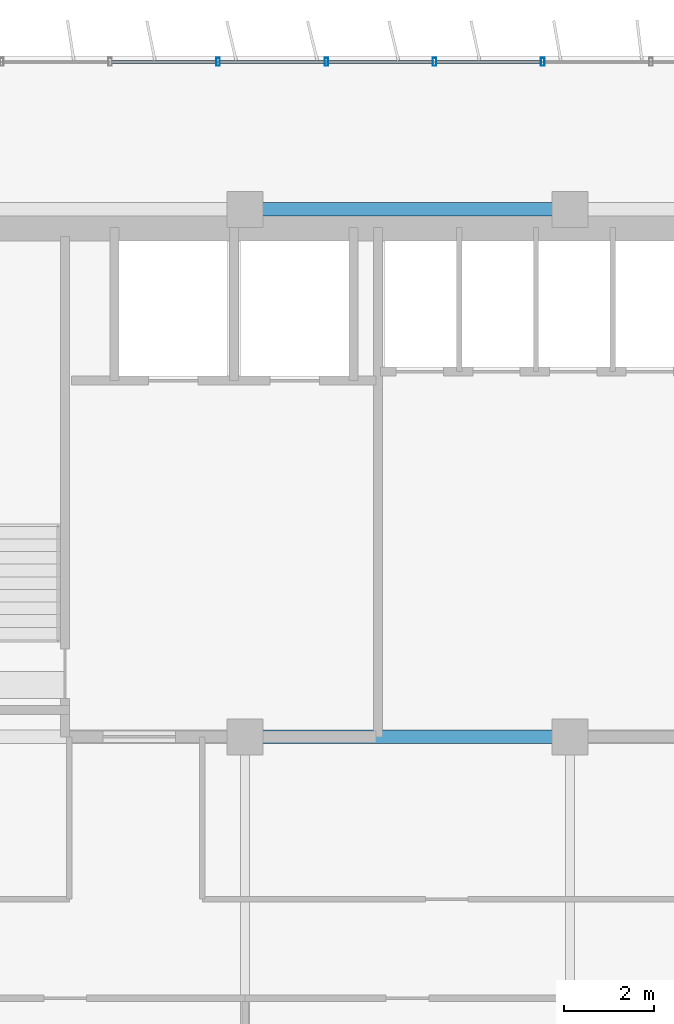
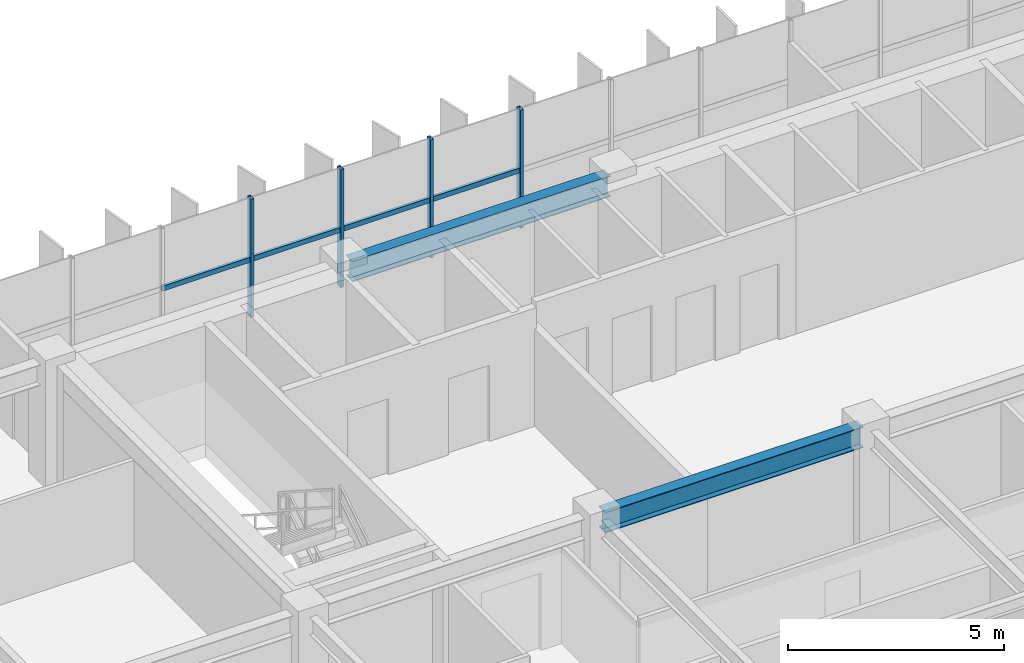
# One storey, part 6 of 22: 8 members, 2 beams, 1 element without a shape of its own.
"""IFC4 building model written with IfcOpenShell, lengths in metres."""

import ifcopenshell
import ifcopenshell.guid

model = None  # the IFC model being written
_history = None  # IfcOwnerHistory: only IFC2X3 demands one
_inside = {}  # id of a spatial element -> (the spatial element, [elements in it])
_under = {}  # id of a project, library or spatial element -> (it, [spatial elements below it])
_declared = {}  # id of a project -> (the project, [libraries it declares])
_typed = {}  # id of a type object -> (the type object, [elements of that type])
_made_of = {}  # id of a material, layer set ... -> (it, [elements and type objects made of it])


def new_model(schema):
    """Start an empty IFC model of exactly this schema.

    Asked for "IFC4X3", IfcOpenShell would pick the latest addendum, in which some entities
    have other attributes; the version numbers below select the first issue.
    IFC2X3 requires an IfcOwnerHistory on every rooted entity: one is made here for all.
    """
    global model, _history
    if schema == "IFC4X3":
        model = ifcopenshell.file(schema_version=(4, 3, 0, 0))
    else:
        model = ifcopenshell.file(schema=schema)
    _inside.clear()
    _under.clear()
    _declared.clear()
    _typed.clear()
    _made_of.clear()
    _history = None
    if model.schema == "IFC2X3":
        org = make("IfcOrganization", Name="unknown")
        user = make(
            "IfcPersonAndOrganization",
            ThePerson=make("IfcPerson", FamilyName="unknown"),
            TheOrganization=org,
        )
        app = make(
            "IfcApplication",
            ApplicationDeveloper=org,
            Version="unknown",
            ApplicationFullName="unknown",
            ApplicationIdentifier="unknown",
        )
        _history = make(
            "IfcOwnerHistory",
            OwningUser=user,
            OwningApplication=app,
            ChangeAction="ADDED",
            CreationDate=0,
        )
    return model


def make(cls, **values):
    """One entity of the class cls with the attributes given. An attribute that is None is left unset."""
    return model.create_entity(
        cls, **{name: value for name, value in values.items() if value is not None}
    )


def rooted(cls, **values):
    """An entity with a GlobalId (a new one), such as an element, a storey or a relation."""
    return make(cls, GlobalId=ifcopenshell.guid.new(), OwnerHistory=_history, **values)


def si_unit(unit_type, name, prefix=None):
    """IfcSIUnit, for example si_unit("LENGTHUNIT", "METRE", prefix="MILLI")."""
    return make("IfcSIUnit", UnitType=unit_type, Prefix=prefix, Name=name)


def assignment(units):
    """IfcUnitAssignment: the units of a project."""
    return None if units is None else make("IfcUnitAssignment", Units=units)


def point(xyz):
    """IfcCartesianPoint."""
    return None if xyz is None else make("IfcCartesianPoint", Coordinates=xyz)


def direction(xyz):
    """IfcDirection."""
    return None if xyz is None else make("IfcDirection", DirectionRatios=xyz)


def frame(location, z_axis=None, x_axis=None):
    """IfcAxis2Placement3D, a coordinate frame: its origin and axes. An axis left out is left unset."""
    return make(
        "IfcAxis2Placement3D",
        Location=point(location),
        Axis=direction(z_axis),
        RefDirection=direction(x_axis),
    )


def frame_2d(location, x_axis=None):
    """IfcAxis2Placement2D, a coordinate frame in the plane: its origin and x axis."""
    return make(
        "IfcAxis2Placement2D", Location=point(location), RefDirection=direction(x_axis)
    )


def origin():
    """The frame at (0, 0, 0) with its axes left unset."""
    return frame((0.0, 0.0, 0.0))


def origin_2d():
    """The frame at (0, 0) in the plane with its x axis left unset."""
    return frame_2d((0.0, 0.0))


def place(relative_to, where):
    """IfcLocalPlacement: puts the frame where relative to a parent placement (None: the world)."""
    return make(
        "IfcLocalPlacement", PlacementRelTo=relative_to, RelativePlacement=where
    )


def context(
    kind, dimensions, precision=None, world=None, true_north=None, identifier=None
):
    """IfcGeometricRepresentationContext, for example the 3D "Model" context."""
    return make(
        "IfcGeometricRepresentationContext",
        ContextIdentifier=identifier,
        ContextType=kind,
        CoordinateSpaceDimension=dimensions,
        Precision=precision,
        WorldCoordinateSystem=world,
        TrueNorth=true_north,
    )


def subcontext(parent, identifier, kind, view, scale=None):
    """IfcGeometricRepresentationSubContext, for example "Body" below "Model"."""
    return make(
        "IfcGeometricRepresentationSubContext",
        ContextIdentifier=identifier,
        ContextType=kind,
        ParentContext=parent,
        TargetScale=scale,
        TargetView=view,
    )


def project(units=None, contexts=None):
    """IfcProject with its units and contexts."""
    return rooted(
        "IfcProject",
        Name="project",
        RepresentationContexts=contexts,
        UnitsInContext=assignment(units),
    )


def spatial(cls, under=None, at=None, **own):
    """A site, building, storey or space (cls), placed at a placement, below another one or the project."""
    s = rooted(cls, ObjectPlacement=at, **own)
    if under is not None:
        _under.setdefault(under.id(), (under, []))[1].append(s)
    return s


def profile(cls, at=None, kind="AREA", **sizes):
    """A parametric profile (cls). Its sizes go by their IFC names, for example OverallWidth=200.0."""
    return make(cls, ProfileType=kind, Position=at, **sizes)


def hollow_rectangle(**sizes):
    """IfcRectangleHollowProfileDef."""
    return profile("IfcRectangleHollowProfileDef", **sizes)


def i_section(**sizes):
    """IfcIShapeProfileDef."""
    return profile("IfcIShapeProfileDef", **sizes)


def extrude(swept, where, along, depth):
    """IfcExtrudedAreaSolid: the profile swept, set in the frame where, extruded along a direction by depth."""
    return make(
        "IfcExtrudedAreaSolid",
        SweptArea=swept,
        Position=where,
        ExtrudedDirection=direction(along),
        Depth=depth,
    )


def shape(context_of_items, identifier, shape_type, items):
    """IfcShapeRepresentation: the items that make up one representation, for example the "Body"."""
    return make(
        "IfcShapeRepresentation",
        ContextOfItems=context_of_items,
        RepresentationIdentifier=identifier,
        RepresentationType=shape_type,
        Items=items,
    )


def source(mapping_origin, context_of_items, identifier, shape_type, items):
    """IfcRepresentationMap: a shape defined once, which mapped items show again and again."""
    return make(
        "IfcRepresentationMap",
        MappingOrigin=mapping_origin,
        MappedRepresentation=shape(context_of_items, identifier, shape_type, items),
    )


def transform(
    local_origin,
    x_axis=None,
    y_axis=None,
    z_axis=None,
    scale=None,
    scale2=None,
    scale3=None,
    uniform=True,
):
    """IfcCartesianTransformationOperator3D, or its non-uniform kind. x_axis, y_axis, z_axis: its Axis1, 2, 3."""
    if uniform:
        return make(
            "IfcCartesianTransformationOperator3D",
            Axis1=direction(x_axis),
            Axis2=direction(y_axis),
            LocalOrigin=point(local_origin),
            Scale=scale,
            Axis3=direction(z_axis),
        )
    return make(
        "IfcCartesianTransformationOperator3DnonUniform",
        Axis1=direction(x_axis),
        Axis2=direction(y_axis),
        LocalOrigin=point(local_origin),
        Scale=scale,
        Axis3=direction(z_axis),
        Scale2=scale2,
        Scale3=scale3,
    )


def mapped(mapping_source, mapping_target):
    """IfcMappedItem: shows the shape of a source again, moved by a transform."""
    return make(
        "IfcMappedItem", MappingSource=mapping_source, MappingTarget=mapping_target
    )


def material(Name=None, Category=None):
    """IfcMaterial."""
    return make("IfcMaterial", Name=Name, Category=Category)


def material_profile(
    of_material, cross_section, Name=None, Category=None, Priority=None
):
    """IfcMaterialProfile: a cross section and its material."""
    return make(
        "IfcMaterialProfile",
        Name=Name,
        Material=of_material,
        Profile=cross_section,
        Priority=Priority,
        Category=Category,
    )


def profile_set(profiles, Name=None, composite=None):
    """IfcMaterialProfileSet."""
    return make(
        "IfcMaterialProfileSet",
        Name=Name,
        MaterialProfiles=profiles,
        CompositeProfile=composite,
    )


def made_of(thing, what):
    """Note that an element or type object is made of a material, layer set ...; save() writes the relation."""
    if what is not None:
        _made_of.setdefault(what.id(), (what, []))[1].append(thing)
    return thing


def type_object(cls, material=None, **own):
    """A type object (cls), such as IfcWallType, which elements share."""
    return made_of(rooted(cls, **own), material)


def element(
    cls,
    number,
    at=None,
    inside=None,
    cuts=None,
    type_object=None,
    material=None,
    context=None,
    identifier="Body",
    shape_type=None,
    held_by="IfcProductDefinitionShape",
    body=None,
    shapes=None,
    **own,
):
    """One element of the class cls, such as IfcWall. Its Tag is "e" and its number.

    at: its placement. inside: the storey or other place that contains it. cuts: it is an
    opening in that element (IfcRelVoidsElement). A single representation is given by context,
    identifier, shape_type and body (its items); several are given by shapes. held_by: the class
    of the entity that holds the representations. save() writes the other relations.
    """
    e = rooted(cls, Tag="e%d" % number, ObjectPlacement=at, **own)
    if body is not None:
        shapes = [shape(context, identifier, shape_type, body)]
    if shapes is not None:
        e.Representation = make(held_by, Representations=shapes)
    if inside is not None:
        _inside.setdefault(inside.id(), (inside, []))[1].append(e)
    if cuts is not None:
        rooted(
            "IfcRelVoidsElement", RelatingBuildingElement=cuts, RelatedOpeningElement=e
        )
    if type_object is not None:
        _typed.setdefault(type_object.id(), (type_object, []))[1].append(e)
    return made_of(e, material)


def aggregate(whole, parts):
    """IfcRelAggregates: a whole, such as a stair, and the parts it consists of."""
    return rooted("IfcRelAggregates", RelatingObject=whole, RelatedObjects=parts)


def save(model, path):
    """Write the relations noted so far, then the file.

    IfcRelAggregates (storeys below a building ...), IfcRelContainedInSpatialStructure (elements
    in a storey), IfcRelDefinesByType, IfcRelAssociatesMaterial and IfcRelDeclares: one each for
    every whole, place, type object, material and project.
    """
    for whole, parts in _under.values():
        aggregate(whole, parts)
    for where, things in _inside.values():
        rooted(
            "IfcRelContainedInSpatialStructure",
            RelatedElements=things,
            RelatingStructure=where,
        )
    for kind, things in _typed.values():
        rooted("IfcRelDefinesByType", RelatedObjects=things, RelatingType=kind)
    for what, things in _made_of.values():
        rooted("IfcRelAssociatesMaterial", RelatedObjects=things, RelatingMaterial=what)
    for by, libraries in _declared.values():
        rooted("IfcRelDeclares", RelatingContext=by, RelatedDefinitions=libraries)
    model.write(path)


model = new_model("IFC4")

# Units and contexts
model_context = context("Model", 3, precision=1e-05, world=origin(), true_north=direction((0.0, 1.0)))
body_context = subcontext(model_context, "Body", "Model", "MODEL_VIEW")
ifc_project = project(units=[si_unit("LENGTHUNIT", "METRE"), si_unit("AREAUNIT", "SQUARE_METRE"), si_unit("VOLUMEUNIT", "CUBIC_METRE"), si_unit("PLANEANGLEUNIT", "RADIAN"), si_unit("MASSUNIT", "GRAM", prefix="KILO")], contexts=[model_context])

# Site, building, storey
site_placement = place(None, origin())
site = spatial("IfcSite", under=ifc_project, at=site_placement, CompositionType="ELEMENT")
building_placement = place(site_placement, origin())
building = spatial("IfcBuilding", under=site, at=building_placement, Name="Trelvane Seafront Commons", CompositionType="ELEMENT")
storey_placement = place(building_placement, frame((0.0, 0.0, 81.699951171875)))
storey = spatial("IfcBuildingStorey", under=building, at=storey_placement, Name="L20", CompositionType="ELEMENT", Elevation=81.699951171875)

# Beams
ifc_material_1 = material(Name="Steel SM355 (S355)", Category="steel")
ifc_material_profile_1 = material_profile(ifc_material_1, i_section(OverallWidth=0.300048828125, OverallDepth=0.587890625, WebThickness=0.011962890625, FlangeThickness=0.02001953125, at=origin_2d()), Name="H-588x300x12x20")
ifc_profile_set_1 = profile_set([ifc_material_profile_1], Name="Steel SM355 (S355)")
beam_type = type_object("IfcBeamType", Name="STR-BM-H588", PredefinedType="BEAM", material=ifc_profile_set_1)
shared_shape_1 = source(origin(), body_context, "Body", "SweptSolid", [
    extrude(i_section(OverallWidth=0.300048828125, OverallDepth=0.587890625, WebThickness=0.011962890625, FlangeThickness=0.02001953125, at=origin_2d()), origin(), (0.0, 0.0, 1.0), 6.89990234375),
])
for number, where, z_axis, x_axis, name in (
    (1, (23.550048828125, 33.39990234375, 3.046142578125), (1.0, 0.0, 0.0), (0.0, 1.0, 0.0), "L20 Primary Girder G-22"),
    (2, (23.550048828125, 45.10009765625, 3.046142578125), (1.0, 0.0, 0.0), (0.0, 1.0, 0.0), "L20 Primary Girder G-31"),
):
    element("IfcBeam", number, at=place(storey_placement, frame(where, z_axis=z_axis, x_axis=x_axis)), inside=storey, type_object=beam_type, Name=name, PredefinedType="BEAM", context=body_context, shape_type="MappedRepresentation", body=[
        mapped(shared_shape_1, transform((0.0, 0.0, 0.0), x_axis=(1.0, 0.0, 0.0), y_axis=(0.0, 1.0, 0.0), z_axis=(0.0, 0.0, 1.0), scale=1.0)),
    ])

# Curtain wall, members
ifc_material_2 = material(Name="Anodised pale-silver aluminium", Category="aluminium")
curtain_wall_type = type_object("IfcCurtainWallType", Name="ARCH-CW4-SKYLOBBY", PredefinedType="NOTDEFINED", material=ifc_material_2)
curtain_wall_placement = place(storey_placement, origin())
curtain_wall = element("IfcCurtainWall", 3, at=curtain_wall_placement, inside=storey, type_object=curtain_wall_type, Name="CW-L20-0045", PredefinedType="NOTDEFINED")
ifc_material_profile_2 = material_profile(ifc_material_2, hollow_rectangle(XDim=0.074951171875, YDim=0.139892578125, WallThickness=0.00390625, at=origin_2d()), Name="TRAN-75x140x4")
ifc_profile_set_2 = profile_set([ifc_material_profile_2], Name="Anodised pale-silver aluminium")
member_type_1 = type_object("IfcMemberType", Name="ARCH-CW-TRAN-140", PredefinedType="USERDEFINED", material=ifc_profile_set_2)
shared_shape_2 = source(origin(), body_context, "Body", "SweptSolid", [
    extrude(hollow_rectangle(XDim=0.074951171875, YDim=0.139892578125, WallThickness=0.00390625, at=origin_2d()), origin(), (0.0, 0.0, 1.0), 2.3759765625),
])
member_1_placement = place(storey_placement, frame((20.412109375, 48.3701171875, 1.60302734375), z_axis=(1.0, 0.0, 0.0), x_axis=(0.0, 1.0, 0.0)))
member_1 = element("IfcMember", 4, at=member_1_placement, type_object=member_type_1, Name="CW-L20-0045-T02", ObjectType="TRANSOM", PredefinedType="USERDEFINED", context=body_context, shape_type="MappedRepresentation", body=[
    mapped(shared_shape_2, transform((0.0, 0.0, 0.0), x_axis=(1.0, 0.0, 0.0), y_axis=(0.0, 1.0, 0.0), z_axis=(0.0, 0.0, 1.0), scale=1.0)),
])
member_2_placement = place(storey_placement, frame((22.81201171875, 48.3701171875, 1.60302734375), z_axis=(1.0, 0.0, 0.0), x_axis=(0.0, 1.0, 0.0)))
member_2 = element("IfcMember", 5, at=member_2_placement, type_object=member_type_1, Name="CW-L20-0045-T03", ObjectType="TRANSOM", PredefinedType="USERDEFINED", context=body_context, shape_type="MappedRepresentation", body=[
    mapped(shared_shape_2, transform((0.0, 0.0, 0.0), x_axis=(1.0, 0.0, 0.0), y_axis=(0.0, 1.0, 0.0), z_axis=(0.0, 0.0, 1.0), scale=1.0)),
])
member_3_placement = place(storey_placement, frame((25.2119140625, 48.3701171875, 1.60302734375), z_axis=(1.0, 0.0, 0.0), x_axis=(0.0, 1.0, 0.0)))
member_3 = element("IfcMember", 6, at=member_3_placement, type_object=member_type_1, Name="CW-L20-0045-T04", ObjectType="TRANSOM", PredefinedType="USERDEFINED", context=body_context, shape_type="MappedRepresentation", body=[
    mapped(shared_shape_2, transform((0.0, 0.0, 0.0), x_axis=(1.0, 0.0, 0.0), y_axis=(0.0, 1.0, 0.0), z_axis=(0.0, 0.0, 1.0), scale=1.0)),
])
member_4_placement = place(storey_placement, frame((27.612060546875, 48.3701171875, 1.60302734375), z_axis=(1.0, 0.0, 0.0), x_axis=(0.0, 1.0, 0.0)))
member_4 = element("IfcMember", 7, at=member_4_placement, type_object=member_type_1, Name="CW-L20-0045-T05", ObjectType="TRANSOM", PredefinedType="USERDEFINED", context=body_context, shape_type="MappedRepresentation", body=[
    mapped(shared_shape_2, transform((0.0, 0.0, 0.0), x_axis=(1.0, 0.0, 0.0), y_axis=(0.0, 1.0, 0.0), z_axis=(0.0, 0.0, 1.0), scale=1.0)),
])
ifc_material_profile_3 = material_profile(ifc_material_2, hollow_rectangle(XDim=0.080078125, YDim=0.179931640625, WallThickness=0.00439453125, at=origin_2d()), Name="MULL-80x180x4.5")
ifc_profile_set_3 = profile_set([ifc_material_profile_3], Name="Anodised pale-silver aluminium")
member_type_2 = type_object("IfcMemberType", Name="ARCH-CW-MULL-180", PredefinedType="MULLION", material=ifc_profile_set_3)
shared_shape_3 = source(origin(), body_context, "Body", "SweptSolid", [
    extrude(hollow_rectangle(XDim=0.080078125, YDim=0.179931640625, WallThickness=0.00439453125, at=origin_2d()), origin(), (0.0, 0.0, 1.0), 3.340087890625),
])
member_5_placement = place(storey_placement, frame((22.800048828125, 48.3701171875, 0.0), z_axis=(0.0, 0.0, 1.0), x_axis=(1.0, 0.0, 0.0)))
member_5 = element("IfcMember", 8, at=member_5_placement, type_object=member_type_2, Name="CW-L20-0045-M03", PredefinedType="MULLION", context=body_context, shape_type="MappedRepresentation", body=[
    mapped(shared_shape_3, transform((0.0, 0.0, 0.0), x_axis=(1.0, 0.0, 0.0), y_axis=(0.0, 1.0, 0.0), z_axis=(0.0, 0.0, 1.0), scale=1.0)),
])
member_6_placement = place(storey_placement, frame((25.199951171875, 48.3701171875, 0.0), z_axis=(0.0, 0.0, 1.0), x_axis=(1.0, 0.0, 0.0)))
member_6 = element("IfcMember", 9, at=member_6_placement, type_object=member_type_2, Name="CW-L20-0045-M04", PredefinedType="MULLION", context=body_context, shape_type="MappedRepresentation", body=[
    mapped(shared_shape_3, transform((0.0, 0.0, 0.0), x_axis=(1.0, 0.0, 0.0), y_axis=(0.0, 1.0, 0.0), z_axis=(0.0, 0.0, 1.0), scale=1.0)),
])
member_7_placement = place(storey_placement, frame((27.60009765625, 48.3701171875, 0.0), z_axis=(0.0, 0.0, 1.0), x_axis=(1.0, 0.0, 0.0)))
member_7 = element("IfcMember", 10, at=member_7_placement, type_object=member_type_2, Name="CW-L20-0045-M05", PredefinedType="MULLION", context=body_context, shape_type="MappedRepresentation", body=[
    mapped(shared_shape_3, transform((0.0, 0.0, 0.0), x_axis=(1.0, 0.0, 0.0), y_axis=(0.0, 1.0, 0.0), z_axis=(0.0, 0.0, 1.0), scale=1.0)),
])
member_8_placement = place(storey_placement, frame((30.0, 48.3701171875, 0.0), z_axis=(0.0, 0.0, 1.0), x_axis=(1.0, 0.0, 0.0)))
member_8 = element("IfcMember", 11, at=member_8_placement, type_object=member_type_2, Name="CW-L20-0045-M06", PredefinedType="MULLION", context=body_context, shape_type="MappedRepresentation", body=[
    mapped(shared_shape_3, transform((0.0, 0.0, 0.0), x_axis=(1.0, 0.0, 0.0), y_axis=(0.0, 1.0, 0.0), z_axis=(0.0, 0.0, 1.0), scale=1.0)),
])
aggregate(curtain_wall, [member_5, member_6, member_7, member_8, member_1, member_2, member_3, member_4])

save(model, "model.ifc")
